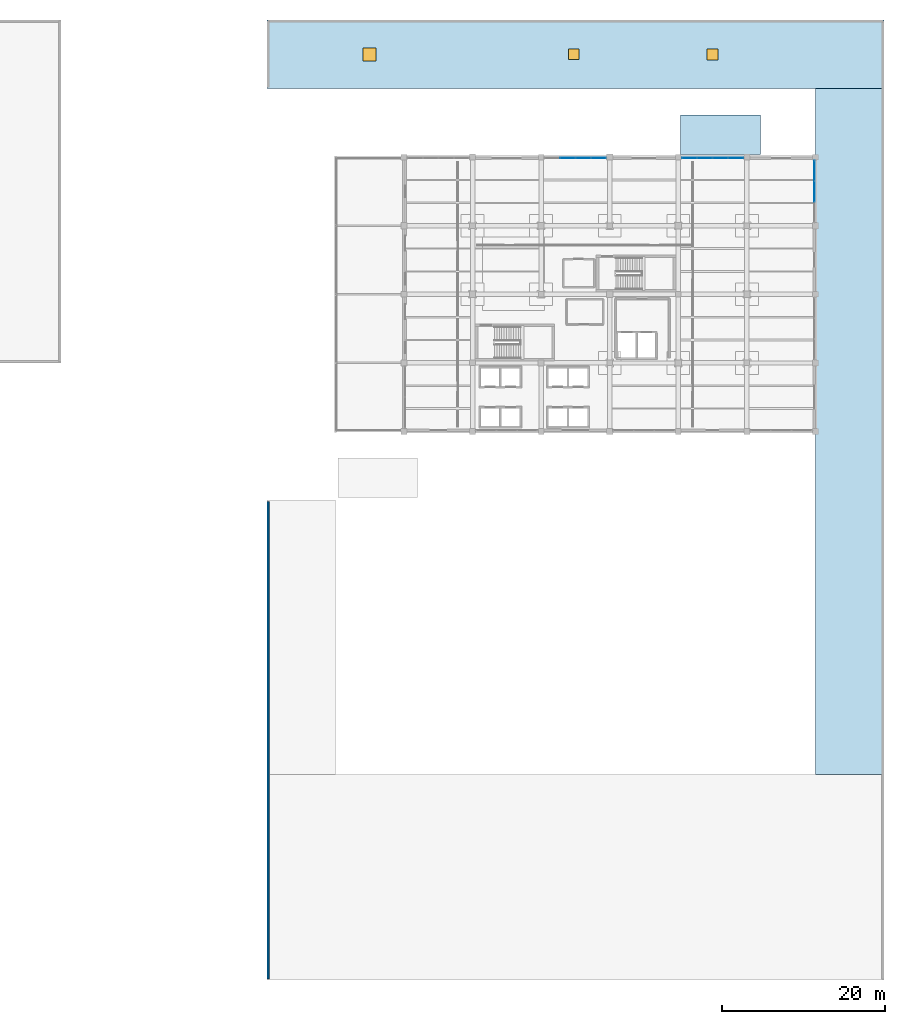
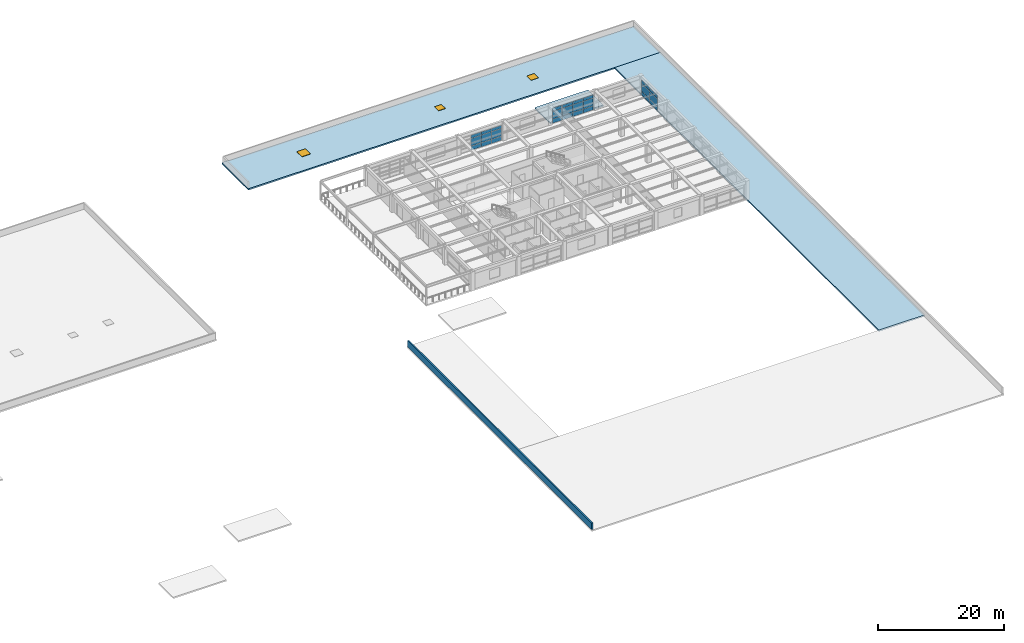
# One storey, part 29 of 35: 27 plates, 3 slabs, 2 windows, 1 door, 1 wall, 3 openings, 3 elements without a shape of their own.
"""IFC4 building model written with IfcOpenShell, lengths in metres."""

from ifc_helpers import new_model, si_unit, direction, frame, frame_2d, origin, origin_2d, place, context, subcontext, project, spatial, polyline, rectangle, outline, extrude, material, layer, layer_set, type_object, element, fill, aggregate, save


model = new_model("IFC4")

# Units and contexts
model_context = context("Model", 3, precision=1e-05, world=origin(), true_north=direction((0.0, 1.0)))
body_context = subcontext(model_context, "Body", "Model", "MODEL_VIEW")
ifc_project = project(units=[si_unit("LENGTHUNIT", "METRE"), si_unit("AREAUNIT", "SQUARE_METRE"), si_unit("VOLUMEUNIT", "CUBIC_METRE"), si_unit("PLANEANGLEUNIT", "RADIAN"), si_unit("MASSUNIT", "GRAM", prefix="KILO")], contexts=[model_context])

# Site, building, storey
site_placement = place(None, origin())
site = spatial("IfcSite", under=ifc_project, at=site_placement, CompositionType="ELEMENT")
building_placement = place(site_placement, origin())
building = spatial("IfcBuilding", under=site, at=building_placement, Name="Almacenes y Pasaje Nevantli", CompositionType="ELEMENT")
storey_placement = place(building_placement, frame((0.0, 0.0, 26.699951171875)))
storey = spatial("IfcBuildingStorey", under=building, at=storey_placement, Name="L06", CompositionType="ELEMENT", Elevation=26.699951171875)

# Curtain wall, plates
ifc_material_1 = material(Name="Thermally Broken Aluminium and Low-E Glass", Category="aluminium")
curtain_wall_type = type_object("IfcCurtainWallType", Name="CW-UNIT-TOWER", PredefinedType="USERDEFINED", material=ifc_material_1)
curtain_wall_1_placement = place(storey_placement, origin())
curtain_wall_1 = element("IfcCurtainWall", 1, at=curtain_wall_1_placement, inside=storey, type_object=curtain_wall_type, Name="L06 Tower North Boulevard Unitized Curtain Wall Bay 16", ObjectType="UNITIZED CURTAIN WALL", PredefinedType="USERDEFINED")
ifc_material_2 = material(Name="Acoustic Tempered Low-E Triple Glazed Unit", Category="glass")
ifc_layer_1 = layer(ifc_material_2, 0.0419921875)
ifc_layer_set_1 = layer_set([ifc_layer_1], Name="Acoustic Tempered Low-E Triple Glazed Unit")
plate_type = type_object("IfcPlateType", Name="PL-IGU-42", PredefinedType="CURTAIN_PANEL", material=ifc_layer_set_1)
plate_1_placement = place(storey_placement, frame((129.25, 100.679931640625, 0.065185546875), z_axis=(0.0, 0.0, 1.0), x_axis=(1.0, 0.0, 0.0)))
plate_1 = element("IfcPlate", 2, at=plate_1_placement, type_object=plate_type, Name="CW-L06-104 panel 2.1", PredefinedType="CURTAIN_PANEL", context=body_context, shape_type="SweptSolid", body=[
    extrude(rectangle(XDim=1.8349609375, YDim=0.0419921875, at=origin_2d()), origin(), (0.0, 0.0, 1.0), 0.75244140625),
])
plate_2_placement = place(storey_placement, frame((129.25, 100.679931640625, 0.882568359375), z_axis=(0.0, 0.0, 1.0), x_axis=(1.0, 0.0, 0.0)))
plate_2 = element("IfcPlate", 3, at=plate_2_placement, type_object=plate_type, Name="CW-L06-104 panel 2.2", PredefinedType="CURTAIN_PANEL", context=body_context, shape_type="SweptSolid", body=[
    extrude(rectangle(XDim=1.8349609375, YDim=0.0419921875, at=origin_2d()), origin(), (0.0, 0.0, 1.0), 1.43505859375),
])
plate_3_placement = place(storey_placement, frame((129.25, 100.679931640625, 2.38232421875), z_axis=(0.0, 0.0, 1.0), x_axis=(1.0, 0.0, 0.0)))
plate_3 = element("IfcPlate", 4, at=plate_3_placement, type_object=plate_type, Name="CW-L06-104 panel 2.3", PredefinedType="CURTAIN_PANEL", context=body_context, shape_type="SweptSolid", body=[
    extrude(rectangle(XDim=1.8349609375, YDim=0.0419921875, at=origin_2d()), origin(), (0.0, 0.0, 1.0), 0.592529296875),
])
plate_4_placement = place(storey_placement, frame((131.14990234375, 100.679931640625, 0.065185546875), z_axis=(0.0, 0.0, 1.0), x_axis=(1.0, 0.0, 0.0)))
plate_4 = element("IfcPlate", 5, at=plate_4_placement, type_object=plate_type, Name="CW-L06-104 panel 3.1", PredefinedType="CURTAIN_PANEL", context=body_context, shape_type="SweptSolid", body=[
    extrude(rectangle(XDim=1.8349609375, YDim=0.0419921875, at=origin_2d()), origin(), (0.0, 0.0, 1.0), 0.75244140625),
])
plate_5_placement = place(storey_placement, frame((131.14990234375, 100.679931640625, 0.882568359375), z_axis=(0.0, 0.0, 1.0), x_axis=(1.0, 0.0, 0.0)))
plate_5 = element("IfcPlate", 6, at=plate_5_placement, type_object=plate_type, Name="CW-L06-104 panel 3.2", PredefinedType="CURTAIN_PANEL", context=body_context, shape_type="SweptSolid", body=[
    extrude(rectangle(XDim=1.8349609375, YDim=0.0419921875, at=origin_2d()), origin(), (0.0, 0.0, 1.0), 1.43505859375),
])
plate_6_placement = place(storey_placement, frame((131.14990234375, 100.679931640625, 2.38232421875), z_axis=(0.0, 0.0, 1.0), x_axis=(1.0, 0.0, 0.0)))
plate_6 = element("IfcPlate", 7, at=plate_6_placement, type_object=plate_type, Name="CW-L06-104 panel 3.3", PredefinedType="CURTAIN_PANEL", context=body_context, shape_type="SweptSolid", body=[
    extrude(rectangle(XDim=1.8349609375, YDim=0.0419921875, at=origin_2d()), origin(), (0.0, 0.0, 1.0), 0.592529296875),
])
plate_7_placement = place(storey_placement, frame((133.03369140625, 100.679931640625, 0.065185546875), z_axis=(0.0, 0.0, 1.0), x_axis=(1.0, 0.0, 0.0)))
plate_7 = element("IfcPlate", 8, at=plate_7_placement, type_object=plate_type, Name="CW-L06-104 panel 4.1", PredefinedType="CURTAIN_PANEL", context=body_context, shape_type="SweptSolid", body=[
    extrude(rectangle(XDim=1.802490234375, YDim=0.0419921875, at=origin_2d()), origin(), (0.0, 0.0, 1.0), 0.75244140625),
])
plate_8_placement = place(storey_placement, frame((133.03369140625, 100.679931640625, 0.882568359375), z_axis=(0.0, 0.0, 1.0), x_axis=(1.0, 0.0, 0.0)))
plate_8 = element("IfcPlate", 9, at=plate_8_placement, type_object=plate_type, Name="CW-L06-104 panel 4.2", PredefinedType="CURTAIN_PANEL", context=body_context, shape_type="SweptSolid", body=[
    extrude(rectangle(XDim=1.802490234375, YDim=0.0419921875, at=origin_2d()), origin(), (0.0, 0.0, 1.0), 1.43505859375),
])
plate_9_placement = place(storey_placement, frame((133.03369140625, 100.679931640625, 2.38232421875), z_axis=(0.0, 0.0, 1.0), x_axis=(1.0, 0.0, 0.0)))
plate_9 = element("IfcPlate", 10, at=plate_9_placement, type_object=plate_type, Name="CW-L06-104 panel 4.3", PredefinedType="CURTAIN_PANEL", context=body_context, shape_type="SweptSolid", body=[
    extrude(rectangle(XDim=1.802490234375, YDim=0.0419921875, at=origin_2d()), origin(), (0.0, 0.0, 1.0), 0.592529296875),
])
aggregate(curtain_wall_1, [plate_1, plate_2, plate_3, plate_4, plate_5, plate_6, plate_7, plate_8, plate_9])

curtain_wall_2_placement = place(storey_placement, origin())
curtain_wall_2 = element("IfcCurtainWall", 11, at=curtain_wall_2_placement, inside=storey, type_object=curtain_wall_type, Name="L06 Tower North Boulevard Unitized Curtain Wall Bay 18", ObjectType="UNITIZED CURTAIN WALL", PredefinedType="USERDEFINED")
plate_10_placement = place(storey_placement, frame((144.166259765625, 100.679931640625, 0.065185546875), z_axis=(0.0, 0.0, 1.0), x_axis=(1.0, 0.0, 0.0)))
plate_10 = element("IfcPlate", 12, at=plate_10_placement, type_object=plate_type, Name="CW-L06-106 panel 1.1", PredefinedType="CURTAIN_PANEL", context=body_context, shape_type="SweptSolid", body=[
    extrude(rectangle(XDim=1.802490234375, YDim=0.0419921875, at=origin_2d()), origin(), (0.0, 0.0, 1.0), 0.75244140625),
])
plate_11_placement = place(storey_placement, frame((144.166259765625, 100.679931640625, 0.882568359375), z_axis=(0.0, 0.0, 1.0), x_axis=(1.0, 0.0, 0.0)))
plate_11 = element("IfcPlate", 13, at=plate_11_placement, type_object=plate_type, Name="CW-L06-106 panel 1.2", PredefinedType="CURTAIN_PANEL", context=body_context, shape_type="SweptSolid", body=[
    extrude(rectangle(XDim=1.802490234375, YDim=0.0419921875, at=origin_2d()), origin(), (0.0, 0.0, 1.0), 1.43505859375),
])
plate_12_placement = place(storey_placement, frame((144.166259765625, 100.679931640625, 2.38232421875), z_axis=(0.0, 0.0, 1.0), x_axis=(1.0, 0.0, 0.0)))
plate_12 = element("IfcPlate", 14, at=plate_12_placement, type_object=plate_type, Name="CW-L06-106 panel 1.3", PredefinedType="CURTAIN_PANEL", context=body_context, shape_type="SweptSolid", body=[
    extrude(rectangle(XDim=1.802490234375, YDim=0.0419921875, at=origin_2d()), origin(), (0.0, 0.0, 1.0), 0.592529296875),
])
plate_13_placement = place(storey_placement, frame((146.050048828125, 100.679931640625, 0.065185546875), z_axis=(0.0, 0.0, 1.0), x_axis=(1.0, 0.0, 0.0)))
plate_13 = element("IfcPlate", 15, at=plate_13_placement, type_object=plate_type, Name="CW-L06-106 panel 2.1", PredefinedType="CURTAIN_PANEL", context=body_context, shape_type="SweptSolid", body=[
    extrude(rectangle(XDim=1.8349609375, YDim=0.0419921875, at=origin_2d()), origin(), (0.0, 0.0, 1.0), 0.75244140625),
])
plate_14_placement = place(storey_placement, frame((146.050048828125, 100.679931640625, 0.882568359375), z_axis=(0.0, 0.0, 1.0), x_axis=(1.0, 0.0, 0.0)))
plate_14 = element("IfcPlate", 16, at=plate_14_placement, type_object=plate_type, Name="CW-L06-106 panel 2.2", PredefinedType="CURTAIN_PANEL", context=body_context, shape_type="SweptSolid", body=[
    extrude(rectangle(XDim=1.8349609375, YDim=0.0419921875, at=origin_2d()), origin(), (0.0, 0.0, 1.0), 1.43505859375),
])
plate_15_placement = place(storey_placement, frame((146.050048828125, 100.679931640625, 2.38232421875), z_axis=(0.0, 0.0, 1.0), x_axis=(1.0, 0.0, 0.0)))
plate_15 = element("IfcPlate", 17, at=plate_15_placement, type_object=plate_type, Name="CW-L06-106 panel 2.3", PredefinedType="CURTAIN_PANEL", context=body_context, shape_type="SweptSolid", body=[
    extrude(rectangle(XDim=1.8349609375, YDim=0.0419921875, at=origin_2d()), origin(), (0.0, 0.0, 1.0), 0.592529296875),
])
plate_16_placement = place(storey_placement, frame((147.949951171875, 100.679931640625, 0.065185546875), z_axis=(0.0, 0.0, 1.0), x_axis=(1.0, 0.0, 0.0)))
plate_16 = element("IfcPlate", 18, at=plate_16_placement, type_object=plate_type, Name="CW-L06-106 panel 3.1", PredefinedType="CURTAIN_PANEL", context=body_context, shape_type="SweptSolid", body=[
    extrude(rectangle(XDim=1.8349609375, YDim=0.0419921875, at=origin_2d()), origin(), (0.0, 0.0, 1.0), 0.75244140625),
])
plate_17_placement = place(storey_placement, frame((147.949951171875, 100.679931640625, 0.882568359375), z_axis=(0.0, 0.0, 1.0), x_axis=(1.0, 0.0, 0.0)))
plate_17 = element("IfcPlate", 19, at=plate_17_placement, type_object=plate_type, Name="CW-L06-106 panel 3.2", PredefinedType="CURTAIN_PANEL", context=body_context, shape_type="SweptSolid", body=[
    extrude(rectangle(XDim=1.8349609375, YDim=0.0419921875, at=origin_2d()), origin(), (0.0, 0.0, 1.0), 1.43505859375),
])
plate_18_placement = place(storey_placement, frame((147.949951171875, 100.679931640625, 2.38232421875), z_axis=(0.0, 0.0, 1.0), x_axis=(1.0, 0.0, 0.0)))
plate_18 = element("IfcPlate", 20, at=plate_18_placement, type_object=plate_type, Name="CW-L06-106 panel 3.3", PredefinedType="CURTAIN_PANEL", context=body_context, shape_type="SweptSolid", body=[
    extrude(rectangle(XDim=1.8349609375, YDim=0.0419921875, at=origin_2d()), origin(), (0.0, 0.0, 1.0), 0.592529296875),
])
plate_19_placement = place(storey_placement, frame((149.833740234375, 100.679931640625, 0.065185546875), z_axis=(0.0, 0.0, 1.0), x_axis=(1.0, 0.0, 0.0)))
plate_19 = element("IfcPlate", 21, at=plate_19_placement, type_object=plate_type, Name="CW-L06-106 panel 4.1", PredefinedType="CURTAIN_PANEL", context=body_context, shape_type="SweptSolid", body=[
    extrude(rectangle(XDim=1.802490234375, YDim=0.0419921875, at=origin_2d()), origin(), (0.0, 0.0, 1.0), 0.75244140625),
])
plate_20_placement = place(storey_placement, frame((149.833740234375, 100.679931640625, 0.882568359375), z_axis=(0.0, 0.0, 1.0), x_axis=(1.0, 0.0, 0.0)))
plate_20 = element("IfcPlate", 22, at=plate_20_placement, type_object=plate_type, Name="CW-L06-106 panel 4.2", PredefinedType="CURTAIN_PANEL", context=body_context, shape_type="SweptSolid", body=[
    extrude(rectangle(XDim=1.802490234375, YDim=0.0419921875, at=origin_2d()), origin(), (0.0, 0.0, 1.0), 1.43505859375),
])
plate_21_placement = place(storey_placement, frame((149.833740234375, 100.679931640625, 2.38232421875), z_axis=(0.0, 0.0, 1.0), x_axis=(1.0, 0.0, 0.0)))
plate_21 = element("IfcPlate", 23, at=plate_21_placement, type_object=plate_type, Name="CW-L06-106 panel 4.3", PredefinedType="CURTAIN_PANEL", context=body_context, shape_type="SweptSolid", body=[
    extrude(rectangle(XDim=1.802490234375, YDim=0.0419921875, at=origin_2d()), origin(), (0.0, 0.0, 1.0), 0.592529296875),
])
aggregate(curtain_wall_2, [plate_10, plate_11, plate_12, plate_13, plate_14, plate_15, plate_16, plate_17, plate_18, plate_19, plate_20, plate_21])

curtain_wall_3_placement = place(storey_placement, origin())
curtain_wall_3 = element("IfcCurtainWall", 24, at=curtain_wall_3_placement, inside=storey, type_object=curtain_wall_type, Name="L06 Tower East Curtain Wall Bay 12", ObjectType="UNITIZED CURTAIN WALL", PredefinedType="USERDEFINED")
plate_22_placement = place(storey_placement, frame((159.47998046875, 96.60009765625, 0.06005859375), z_axis=(0.0, 0.0, 1.0), x_axis=(0.0, 1.0, 0.0)))
plate_22 = element("IfcPlate", 25, at=plate_22_placement, type_object=plate_type, Name="CW-L06-110 panel 2.1", PredefinedType="CURTAIN_PANEL", context=body_context, shape_type="SweptSolid", body=[
    extrude(rectangle(XDim=2.473388671875, YDim=0.0419921875, at=origin_2d()), origin(), (0.0, 0.0, 1.0), 0.760009765625),
])
plate_23_placement = place(storey_placement, frame((159.47998046875, 96.60009765625, 0.880126953125), z_axis=(0.0, 0.0, 1.0), x_axis=(0.0, 1.0, 0.0)))
plate_23 = element("IfcPlate", 26, at=plate_23_placement, type_object=plate_type, Name="CW-L06-110 panel 2.2", PredefinedType="CURTAIN_PANEL", context=body_context, shape_type="SweptSolid", body=[
    extrude(rectangle(XDim=2.473388671875, YDim=0.0419921875, at=origin_2d()), origin(), (0.0, 0.0, 1.0), 1.43994140625),
])
plate_24_placement = place(storey_placement, frame((159.47998046875, 96.60009765625, 2.3798828125), z_axis=(0.0, 0.0, 1.0), x_axis=(0.0, 1.0, 0.0)))
plate_24 = element("IfcPlate", 27, at=plate_24_placement, type_object=plate_type, Name="CW-L06-110 panel 2.3", PredefinedType="CURTAIN_PANEL", context=body_context, shape_type="SweptSolid", body=[
    extrude(rectangle(XDim=2.473388671875, YDim=0.0419921875, at=origin_2d()), origin(), (0.0, 0.0, 1.0), 0.60009765625),
])
plate_25_placement = place(storey_placement, frame((159.47998046875, 99.118408203125, 0.06005859375), z_axis=(0.0, 0.0, 1.0), x_axis=(0.0, 1.0, 0.0)))
plate_25 = element("IfcPlate", 28, at=plate_25_placement, type_object=plate_type, Name="CW-L06-110 panel 3.1", PredefinedType="CURTAIN_PANEL", context=body_context, shape_type="SweptSolid", body=[
    extrude(rectangle(XDim=2.443359375, YDim=0.0419921875, at=origin_2d()), origin(), (0.0, 0.0, 1.0), 0.760009765625),
])
plate_26_placement = place(storey_placement, frame((159.47998046875, 99.118408203125, 0.880126953125), z_axis=(0.0, 0.0, 1.0), x_axis=(0.0, 1.0, 0.0)))
plate_26 = element("IfcPlate", 29, at=plate_26_placement, type_object=plate_type, Name="CW-L06-110 panel 3.2", PredefinedType="CURTAIN_PANEL", context=body_context, shape_type="SweptSolid", body=[
    extrude(rectangle(XDim=2.443359375, YDim=0.0419921875, at=origin_2d()), origin(), (0.0, 0.0, 1.0), 1.43994140625),
])
plate_27_placement = place(storey_placement, frame((159.47998046875, 99.118408203125, 2.3798828125), z_axis=(0.0, 0.0, 1.0), x_axis=(0.0, 1.0, 0.0)))
plate_27 = element("IfcPlate", 30, at=plate_27_placement, type_object=plate_type, Name="CW-L06-110 panel 3.3", PredefinedType="CURTAIN_PANEL", context=body_context, shape_type="SweptSolid", body=[
    extrude(rectangle(XDim=2.443359375, YDim=0.0419921875, at=origin_2d()), origin(), (0.0, 0.0, 1.0), 0.60009765625),
])
aggregate(curtain_wall_3, [plate_22, plate_23, plate_24, plate_25, plate_26, plate_27])

# Slab, openings, door, windows
ifc_material_3 = material(Name="Concrete C35/45", Category="concrete")
ifc_layer_2 = layer(ifc_material_3, 0.280029296875)
ifc_layer_set_2 = layer_set([ifc_layer_2], Name="Concrete C35/45")
slab_type = type_object("IfcSlabType", Name="SLB-ROOF-280", PredefinedType="ROOF", material=ifc_layer_set_2)
slab_1_placement = place(storey_placement, frame((0.0, 0.0, -0.280029296875)))
slab_1 = element("IfcSlab", 31, at=slab_1_placement, inside=storey, type_object=slab_type, Name="L06 Northeast Podium Setback Maintenance Roof Slab", PredefinedType="ROOF", context=body_context, shape_type="SweptSolid", body=[
    extrude(outline(polyline([(92.39990234375, 109.199951171875), (168.0, 109.199951171875), (168.0, 117.60009765625), (92.39990234375, 117.60009765625), (92.39990234375, 109.199951171875)])), origin(), (0.0, 0.0, 1.0), 0.280029296875),
])
opening_1_placement = place(slab_1_placement, frame((130.0, 113.39990234375, -0.010009765625)))
opening_1 = element("IfcOpeningElement", 32, at=opening_1_placement, cuts=slab_1, Name="Opening HT-003", PredefinedType="OPENING", context=body_context, shape_type="SweptSolid", body=[
    extrude(rectangle(XDim=1.25, YDim=1.25, at=origin_2d()), origin(), (0.0, 0.0, 1.0), 0.35009765625),
])
opening_2_placement = place(slab_1_placement, frame((105.0, 113.39990234375, -0.010009765625)))
opening_2 = element("IfcOpeningElement", 33, at=opening_2_placement, cuts=slab_1, Name="Opening SK-007", PredefinedType="OPENING", context=body_context, shape_type="SweptSolid", body=[
    extrude(rectangle(XDim=1.60009765625, YDim=1.60009765625, at=origin_2d()), origin(), (0.0, 0.0, 1.0), 0.35009765625),
])
opening_3_placement = place(slab_1_placement, frame((147.0, 113.39990234375, -0.010009765625)))
opening_3 = element("IfcOpeningElement", 34, at=opening_3_placement, cuts=slab_1, Name="Opening SK-008", PredefinedType="OPENING", context=body_context, shape_type="SweptSolid", body=[
    extrude(rectangle(XDim=1.35009765625, YDim=1.35009765625, at=origin_2d()), origin(), (0.0, 0.0, 1.0), 0.35009765625),
])
ifc_material_4 = material(Name="Galvanized Insulated Steel", Category="steel")
door_type = type_object("IfcDoorType", Name="DR-HATCH-1250", OperationType="SINGLE_SWING_LEFT", PredefinedType="TRAPDOOR", material=ifc_material_4)
door_placement = place(slab_1_placement, frame((130.0, 113.39990234375, 0.280029296875)))
door = element("IfcDoor", 35, at=door_placement, inside=storey, type_object=door_type, Name="L06 NE Setback Roof Access Hatch", OperationType="SINGLE_SWING_LEFT", OverallHeight=1.25, OverallWidth=1.25, PredefinedType="TRAPDOOR", context=body_context, shape_type="SweptSolid", body=[
    extrude(rectangle(XDim=1.25, YDim=1.25, at=origin_2d()), origin(), (0.0, 0.0, 1.0), 0.050048828125),
])
fill(opening_1, door)
ifc_material_5 = material(Name="Thermally Broken Aluminium and Low-E Double Glazing", Category="aluminium")
window_type_1 = type_object("IfcWindowType", Name="WN-SKY-1350", PartitioningType="SINGLE_PANEL", PredefinedType="SKYLIGHT", material=ifc_material_5)
window_1_placement = place(slab_1_placement, frame((147.0, 113.39990234375, 0.280029296875)))
window_1 = element("IfcWindow", 36, at=window_1_placement, inside=storey, type_object=window_type_1, Name="Podium Roof Daylighting Curb Skylight SK-008", OverallHeight=1.35009765625, OverallWidth=1.35009765625, PartitioningType="SINGLE_PANEL", PredefinedType="SKYLIGHT", context=body_context, shape_type="SweptSolid", body=[
    extrude(rectangle(XDim=1.35009765625, YDim=1.35009765625, at=origin_2d()), origin(), (0.0, 0.0, 1.0), 0.050048828125),
])
fill(opening_3, window_1)
ifc_material_6 = material(Name="Thermally Broken Aluminium and Low-E Double Glazing", Category="aluminium")
window_type_2 = type_object("IfcWindowType", Name="WN-SKY-1600", PartitioningType="SINGLE_PANEL", PredefinedType="SKYLIGHT", material=ifc_material_6)
window_2_placement = place(slab_1_placement, frame((105.0, 113.39990234375, 0.280029296875)))
window_2 = element("IfcWindow", 37, at=window_2_placement, inside=storey, type_object=window_type_2, Name="Podium Roof Daylighting Curb Skylight SK-007", OverallHeight=1.60009765625, OverallWidth=1.60009765625, PartitioningType="SINGLE_PANEL", PredefinedType="SKYLIGHT", context=body_context, shape_type="SweptSolid", body=[
    extrude(rectangle(XDim=1.60009765625, YDim=1.60009765625, at=origin_2d()), origin(), (0.0, 0.0, 1.0), 0.050048828125),
])
fill(opening_2, window_2)

# Slabs
slab_2_placement = place(storey_placement, frame((0.0, 0.0, -0.280029296875)))
element("IfcSlab", 38, at=slab_2_placement, inside=storey, type_object=slab_type, Name="L06 East Shoulder Maintenance Roof Slab", PredefinedType="ROOF", context=body_context, shape_type="SweptSolid", body=[
    extrude(outline(polyline([(159.60009765625, 25.199951171875), (168.0, 25.199951171875), (168.0, 109.199951171875), (159.60009765625, 109.199951171875), (159.60009765625, 25.199951171875)])), origin(), (0.0, 0.0, 1.0), 0.280029296875),
])
slab_3_placement = place(storey_placement, frame((0.0, 0.0, -0.280029296875)))
element("IfcSlab", 39, at=slab_3_placement, inside=storey, type_object=slab_type, Name="L06 Exit Stair ST-07 Headhouse Roof Slab", PredefinedType="ROOF", context=body_context, shape_type="SweptSolid", body=[
    extrude(outline(polyline([(143.10009765625, 101.10009765625), (152.85009765625, 101.10009765625), (152.85009765625, 105.949951171875), (143.10009765625, 105.949951171875), (143.10009765625, 101.10009765625)])), origin(), (0.0, 0.0, 1.0), 0.280029296875),
])

# Wall
ifc_material_7 = material(Name="Reinforced Concrete C35/45 Roof Parapet", Category="concrete")
ifc_layer_3 = layer(ifc_material_7, 0.239990234375)
ifc_layer_set_3 = layer_set([ifc_layer_3], Name="Reinforced Concrete C35/45 Roof Parapet")
wall_type = type_object("IfcWallType", Name="WL-PARAPET-240", PredefinedType="PARAPET", material=ifc_layer_set_3)
wall_placement = place(storey_placement, frame((92.550048828125, 0.14990234375, 0.0), z_axis=(0.0, 0.0, 1.0), x_axis=(0.0, 1.0, 0.0)))
element("IfcWall", 40, at=wall_placement, inside=storey, type_object=wall_type, Name="L06 Arcade East Roof South Parapet", PredefinedType="PARAPET", context=body_context, shape_type="SweptSolid", body=[
    extrude(rectangle(XDim=58.4501953125, YDim=0.239990234375, at=frame_2d((29.22509765625, 0.0))), origin(), (0.0, 0.0, 1.0), 1.25),
])

save(model, "model.ifc")
